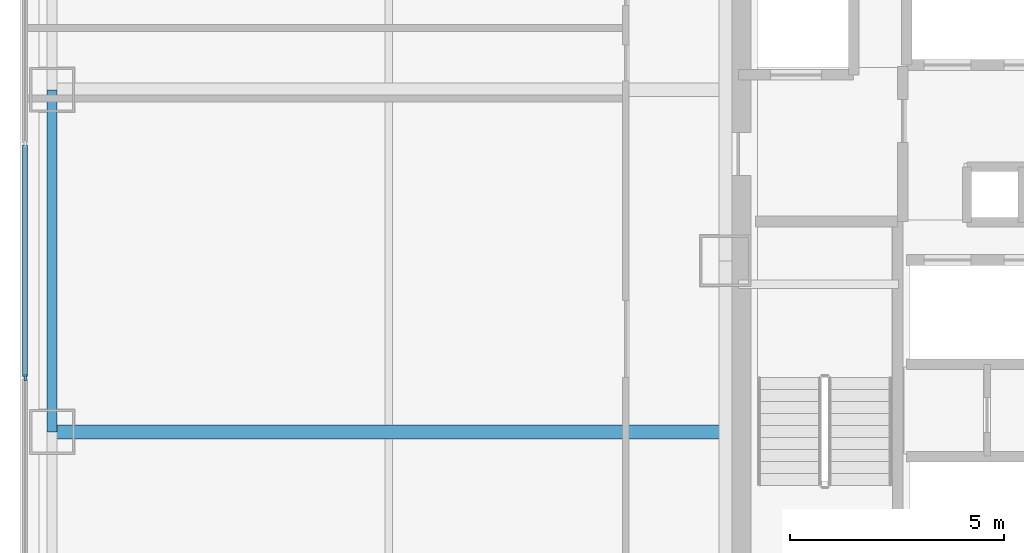
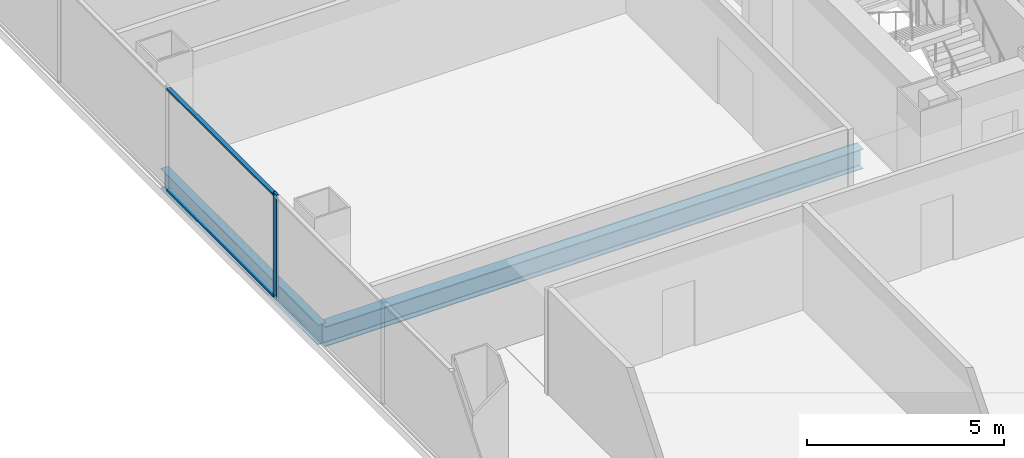
# One storey, part 4 of 19: 3 members, 2 beams, 1 element without a shape of its own.
"""IFC4 building model written with IfcOpenShell, lengths in metres."""

import ifcopenshell
import ifcopenshell.guid

model = None  # the IFC model being written
_history = None  # IfcOwnerHistory: only IFC2X3 demands one
_inside = {}  # id of a spatial element -> (the spatial element, [elements in it])
_under = {}  # id of a project, library or spatial element -> (it, [spatial elements below it])
_declared = {}  # id of a project -> (the project, [libraries it declares])
_typed = {}  # id of a type object -> (the type object, [elements of that type])
_made_of = {}  # id of a material, layer set ... -> (it, [elements and type objects made of it])


def new_model(schema):
    """Start an empty IFC model of exactly this schema.

    Asked for "IFC4X3", IfcOpenShell would pick the latest addendum, in which some entities
    have other attributes; the version numbers below select the first issue.
    IFC2X3 requires an IfcOwnerHistory on every rooted entity: one is made here for all.
    """
    global model, _history
    if schema == "IFC4X3":
        model = ifcopenshell.file(schema_version=(4, 3, 0, 0))
    else:
        model = ifcopenshell.file(schema=schema)
    _inside.clear()
    _under.clear()
    _declared.clear()
    _typed.clear()
    _made_of.clear()
    _history = None
    if model.schema == "IFC2X3":
        org = make("IfcOrganization", Name="unknown")
        user = make(
            "IfcPersonAndOrganization",
            ThePerson=make("IfcPerson", FamilyName="unknown"),
            TheOrganization=org,
        )
        app = make(
            "IfcApplication",
            ApplicationDeveloper=org,
            Version="unknown",
            ApplicationFullName="unknown",
            ApplicationIdentifier="unknown",
        )
        _history = make(
            "IfcOwnerHistory",
            OwningUser=user,
            OwningApplication=app,
            ChangeAction="ADDED",
            CreationDate=0,
        )
    return model


def make(cls, **values):
    """One entity of the class cls with the attributes given. An attribute that is None is left unset."""
    return model.create_entity(
        cls, **{name: value for name, value in values.items() if value is not None}
    )


def rooted(cls, **values):
    """An entity with a GlobalId (a new one), such as an element, a storey or a relation."""
    return make(cls, GlobalId=ifcopenshell.guid.new(), OwnerHistory=_history, **values)


def si_unit(unit_type, name, prefix=None):
    """IfcSIUnit, for example si_unit("LENGTHUNIT", "METRE", prefix="MILLI")."""
    return make("IfcSIUnit", UnitType=unit_type, Prefix=prefix, Name=name)


def assignment(units):
    """IfcUnitAssignment: the units of a project."""
    return None if units is None else make("IfcUnitAssignment", Units=units)


def point(xyz):
    """IfcCartesianPoint."""
    return None if xyz is None else make("IfcCartesianPoint", Coordinates=xyz)


def direction(xyz):
    """IfcDirection."""
    return None if xyz is None else make("IfcDirection", DirectionRatios=xyz)


def frame(location, z_axis=None, x_axis=None):
    """IfcAxis2Placement3D, a coordinate frame: its origin and axes. An axis left out is left unset."""
    return make(
        "IfcAxis2Placement3D",
        Location=point(location),
        Axis=direction(z_axis),
        RefDirection=direction(x_axis),
    )


def frame_2d(location, x_axis=None):
    """IfcAxis2Placement2D, a coordinate frame in the plane: its origin and x axis."""
    return make(
        "IfcAxis2Placement2D", Location=point(location), RefDirection=direction(x_axis)
    )


def origin():
    """The frame at (0, 0, 0) with its axes left unset."""
    return frame((0.0, 0.0, 0.0))


def origin_2d():
    """The frame at (0, 0) in the plane with its x axis left unset."""
    return frame_2d((0.0, 0.0))


def place(relative_to, where):
    """IfcLocalPlacement: puts the frame where relative to a parent placement (None: the world)."""
    return make(
        "IfcLocalPlacement", PlacementRelTo=relative_to, RelativePlacement=where
    )


def context(
    kind, dimensions, precision=None, world=None, true_north=None, identifier=None
):
    """IfcGeometricRepresentationContext, for example the 3D "Model" context."""
    return make(
        "IfcGeometricRepresentationContext",
        ContextIdentifier=identifier,
        ContextType=kind,
        CoordinateSpaceDimension=dimensions,
        Precision=precision,
        WorldCoordinateSystem=world,
        TrueNorth=true_north,
    )


def subcontext(parent, identifier, kind, view, scale=None):
    """IfcGeometricRepresentationSubContext, for example "Body" below "Model"."""
    return make(
        "IfcGeometricRepresentationSubContext",
        ContextIdentifier=identifier,
        ContextType=kind,
        ParentContext=parent,
        TargetScale=scale,
        TargetView=view,
    )


def project(units=None, contexts=None):
    """IfcProject with its units and contexts."""
    return rooted(
        "IfcProject",
        Name="project",
        RepresentationContexts=contexts,
        UnitsInContext=assignment(units),
    )


def spatial(cls, under=None, at=None, **own):
    """A site, building, storey or space (cls), placed at a placement, below another one or the project."""
    s = rooted(cls, ObjectPlacement=at, **own)
    if under is not None:
        _under.setdefault(under.id(), (under, []))[1].append(s)
    return s


def profile(cls, at=None, kind="AREA", **sizes):
    """A parametric profile (cls). Its sizes go by their IFC names, for example OverallWidth=200.0."""
    return make(cls, ProfileType=kind, Position=at, **sizes)


def rectangle(**sizes):
    """IfcRectangleProfileDef."""
    return profile("IfcRectangleProfileDef", **sizes)


def i_section(**sizes):
    """IfcIShapeProfileDef."""
    return profile("IfcIShapeProfileDef", **sizes)


def extrude(swept, where, along, depth):
    """IfcExtrudedAreaSolid: the profile swept, set in the frame where, extruded along a direction by depth."""
    return make(
        "IfcExtrudedAreaSolid",
        SweptArea=swept,
        Position=where,
        ExtrudedDirection=direction(along),
        Depth=depth,
    )


def shape(context_of_items, identifier, shape_type, items):
    """IfcShapeRepresentation: the items that make up one representation, for example the "Body"."""
    return make(
        "IfcShapeRepresentation",
        ContextOfItems=context_of_items,
        RepresentationIdentifier=identifier,
        RepresentationType=shape_type,
        Items=items,
    )


def material(Name=None, Category=None):
    """IfcMaterial."""
    return make("IfcMaterial", Name=Name, Category=Category)


def layer(
    of_material, thickness, ventilated=None, Name=None, Category=None, Priority=None
):
    """IfcMaterialLayer: one layer of a wall or slab, of a material (None: an air gap)."""
    return make(
        "IfcMaterialLayer",
        Material=of_material,
        LayerThickness=thickness,
        IsVentilated=ventilated,
        Name=Name,
        Category=Category,
        Priority=Priority,
    )


def layer_set(layers, Name=None):
    """IfcMaterialLayerSet."""
    return make("IfcMaterialLayerSet", MaterialLayers=layers, LayerSetName=Name)


def material_profile(
    of_material, cross_section, Name=None, Category=None, Priority=None
):
    """IfcMaterialProfile: a cross section and its material."""
    return make(
        "IfcMaterialProfile",
        Name=Name,
        Material=of_material,
        Profile=cross_section,
        Priority=Priority,
        Category=Category,
    )


def profile_set(profiles, Name=None, composite=None):
    """IfcMaterialProfileSet."""
    return make(
        "IfcMaterialProfileSet",
        Name=Name,
        MaterialProfiles=profiles,
        CompositeProfile=composite,
    )


def made_of(thing, what):
    """Note that an element or type object is made of a material, layer set ...; save() writes the relation."""
    if what is not None:
        _made_of.setdefault(what.id(), (what, []))[1].append(thing)
    return thing


def type_object(cls, material=None, **own):
    """A type object (cls), such as IfcWallType, which elements share."""
    return made_of(rooted(cls, **own), material)


def element(
    cls,
    number,
    at=None,
    inside=None,
    cuts=None,
    type_object=None,
    material=None,
    context=None,
    identifier="Body",
    shape_type=None,
    held_by="IfcProductDefinitionShape",
    body=None,
    shapes=None,
    **own,
):
    """One element of the class cls, such as IfcWall. Its Tag is "e" and its number.

    at: its placement. inside: the storey or other place that contains it. cuts: it is an
    opening in that element (IfcRelVoidsElement). A single representation is given by context,
    identifier, shape_type and body (its items); several are given by shapes. held_by: the class
    of the entity that holds the representations. save() writes the other relations.
    """
    e = rooted(cls, Tag="e%d" % number, ObjectPlacement=at, **own)
    if body is not None:
        shapes = [shape(context, identifier, shape_type, body)]
    if shapes is not None:
        e.Representation = make(held_by, Representations=shapes)
    if inside is not None:
        _inside.setdefault(inside.id(), (inside, []))[1].append(e)
    if cuts is not None:
        rooted(
            "IfcRelVoidsElement", RelatingBuildingElement=cuts, RelatedOpeningElement=e
        )
    if type_object is not None:
        _typed.setdefault(type_object.id(), (type_object, []))[1].append(e)
    return made_of(e, material)


def aggregate(whole, parts):
    """IfcRelAggregates: a whole, such as a stair, and the parts it consists of."""
    return rooted("IfcRelAggregates", RelatingObject=whole, RelatedObjects=parts)


def save(model, path):
    """Write the relations noted so far, then the file.

    IfcRelAggregates (storeys below a building ...), IfcRelContainedInSpatialStructure (elements
    in a storey), IfcRelDefinesByType, IfcRelAssociatesMaterial and IfcRelDeclares: one each for
    every whole, place, type object, material and project.
    """
    for whole, parts in _under.values():
        aggregate(whole, parts)
    for where, things in _inside.values():
        rooted(
            "IfcRelContainedInSpatialStructure",
            RelatedElements=things,
            RelatingStructure=where,
        )
    for kind, things in _typed.values():
        rooted("IfcRelDefinesByType", RelatedObjects=things, RelatingType=kind)
    for what, things in _made_of.values():
        rooted("IfcRelAssociatesMaterial", RelatedObjects=things, RelatingMaterial=what)
    for by, libraries in _declared.values():
        rooted("IfcRelDeclares", RelatingContext=by, RelatedDefinitions=libraries)
    model.write(path)


model = new_model("IFC4")

# Units and contexts
model_context = context("Model", 3, precision=1e-05, world=origin(), true_north=direction((0.0, 1.0)))
body_context = subcontext(model_context, "Body", "Model", "MODEL_VIEW")
ifc_project = project(units=[si_unit("LENGTHUNIT", "METRE"), si_unit("AREAUNIT", "SQUARE_METRE"), si_unit("VOLUMEUNIT", "CUBIC_METRE"), si_unit("PLANEANGLEUNIT", "RADIAN"), si_unit("MASSUNIT", "GRAM", prefix="KILO")], contexts=[model_context])

# Site, building, storey
site_placement = place(None, origin())
site = spatial("IfcSite", under=ifc_project, at=site_placement, CompositionType="ELEMENT")
building_placement = place(site_placement, origin())
building = spatial("IfcBuilding", under=site, at=building_placement, Name="Trevonay Congress Spire", CompositionType="ELEMENT")
storey_placement = place(building_placement, frame((0.0, 0.0, 41.0)))
storey = spatial("IfcBuildingStorey", under=building, at=storey_placement, Name="L09", CompositionType="ELEMENT", Elevation=41.0)

# Beams
ifc_material_1 = material(Name="Steel ASTM A572 Grade 50", Category="steel")
ifc_material_profile_1 = material_profile(ifc_material_1, i_section(OverallWidth=0.324951171875, OverallDepth=0.615966796875, WebThickness=0.013916015625, FlangeThickness=0.021484375, FilletRadius=0.01806640625, at=origin_2d()), Name="W610x174")
ifc_profile_set_1 = profile_set([ifc_material_profile_1], Name="Steel ASTM A572 Grade 50")
beam_type_1 = type_object("IfcBeamType", Name="BM-GIRD-W610X174", PredefinedType="BEAM", material=ifc_profile_set_1)
beam_1_placement = place(storey_placement, frame((-7.5, -4.0, -0.55810546875), z_axis=(-1.0, 0.0, 0.0), x_axis=(0.0, -1.0, 0.0)))
element("IfcBeam", 1, at=beam_1_placement, inside=storey, type_object=beam_type_1, Name="L09 structural beam BM-L09-GW-M", PredefinedType="BEAM", context=body_context, shape_type="SweptSolid", body=[
    extrude(i_section(OverallWidth=0.324951171875, OverallDepth=0.615966796875, WebThickness=0.013916015625, FlangeThickness=0.021484375, FilletRadius=0.01806640625, at=origin_2d()), origin(), (0.0, 0.0, 1.0), 15.75),
])
ifc_material_profile_2 = material_profile(ifc_material_1, i_section(OverallWidth=0.22998046875, OverallDepth=0.616943359375, WebThickness=0.01318359375, FlangeThickness=0.022216796875, FilletRadius=0.01611328125, at=origin_2d()), Name="W610x140")
ifc_profile_set_2 = profile_set([ifc_material_profile_2], Name="Steel ASTM A572 Grade 50")
beam_type_2 = type_object("IfcBeamType", Name="BM-RING-W610X140", PredefinedType="BEAM", material=ifc_profile_set_2)
beam_2_placement = place(storey_placement, frame((-23.25, -4.0, -0.55859375), z_axis=(0.0, 1.0, 0.0), x_axis=(-1.0, 0.0, 0.0)))
element("IfcBeam", 2, at=beam_2_placement, inside=storey, type_object=beam_type_2, Name="L09 structural beam BM-L09-PW3", PredefinedType="BEAM", context=body_context, shape_type="SweptSolid", body=[
    extrude(i_section(OverallWidth=0.22998046875, OverallDepth=0.616943359375, WebThickness=0.01318359375, FlangeThickness=0.022216796875, FilletRadius=0.01611328125, at=origin_2d()), origin(), (0.0, 0.0, 1.0), 8.0),
])

# Curtain wall, members
ifc_material_2 = material(Name="Pale Anodised Aluminium EN AW-6063-T6", Category="aluminium")
ifc_layer = layer(ifc_material_2, 0.179931640625, Name="Pale Anodised Aluminium EN AW-6063-T6")
ifc_layer_set = layer_set([ifc_layer], Name="Pale Anodised Aluminium EN AW-6063-T6")
curtain_wall_type = type_object("IfcCurtainWallType", Name="CW-SYS02-HOTEL-PALE-METAL", PredefinedType="NOTDEFINED", material=ifc_layer_set)
curtain_wall_placement = place(storey_placement, origin())
curtain_wall = element("IfcCurtainWall", 3, at=curtain_wall_placement, inside=storey, type_object=curtain_wall_type, Name="L09 W unitised curtain wall", PredefinedType="NOTDEFINED")
ifc_material_profile_3 = material_profile(ifc_material_2, rectangle(XDim=0.06005859375, YDim=0.159912109375, at=origin_2d()), Name="CW-MULLION-160-ALUMINIUM")
ifc_profile_set_3 = profile_set([ifc_material_profile_3], Name="Pale Anodised Aluminium EN AW-6063-T6")
member_type_1 = type_object("IfcMemberType", Name="CW-MULLION-160-ALUMINIUM", PredefinedType="MULLION", material=ifc_profile_set_3)
member_1_placement = place(storey_placement, frame((-23.8798828125, -2.735595703125, 0.0), z_axis=(0.0, 0.0, 1.0), x_axis=(-1.0, 0.0, 0.0)))
member_1 = element("IfcMember", 4, at=member_1_placement, type_object=member_type_1, Name="CW02 mullion 4", PredefinedType="MULLION", context=body_context, shape_type="SweptSolid", body=[
    extrude(rectangle(XDim=0.06005859375, YDim=0.159912109375, at=origin_2d()), origin(), (0.0, 0.0, 1.0), 3.25),
])
ifc_material_profile_4 = material_profile(ifc_material_2, rectangle(XDim=0.1201171875, YDim=0.06005859375, at=origin_2d()), Name="CW-TRANSOM-120-ALUMINIUM")
ifc_profile_set_4 = profile_set([ifc_material_profile_4], Name="Pale Anodised Aluminium EN AW-6063-T6")
member_type_2 = type_object("IfcMemberType", Name="CW-TRANSOM-120-ALUMINIUM", PredefinedType="USERDEFINED", material=ifc_profile_set_4)
member_2_placement = place(storey_placement, frame((-23.8798828125, -2.705810546875, 0.06005859375), z_axis=(0.0, 1.0, 0.0), x_axis=(-1.0, 0.0, 0.0)))
member_2 = element("IfcMember", 5, at=member_2_placement, type_object=member_type_2, Name="CW02 transom 4.1", ObjectType="TRANSOM", PredefinedType="USERDEFINED", context=body_context, shape_type="SweptSolid", body=[
    extrude(rectangle(XDim=0.1201171875, YDim=0.06005859375, at=origin_2d()), origin(), (0.0, 0.0, 1.0), 5.41162109375),
])
member_3_placement = place(storey_placement, frame((-23.8798828125, -2.705810546875, 3.18994140625), z_axis=(0.0, 1.0, 0.0), x_axis=(-1.0, 0.0, 0.0)))
member_3 = element("IfcMember", 6, at=member_3_placement, type_object=member_type_2, Name="CW02 transom 4.2", ObjectType="TRANSOM", PredefinedType="USERDEFINED", context=body_context, shape_type="SweptSolid", body=[
    extrude(rectangle(XDim=0.1201171875, YDim=0.06005859375, at=origin_2d()), origin(), (0.0, 0.0, 1.0), 5.41162109375),
])
aggregate(curtain_wall, [member_1, member_2, member_3])

save(model, "model.ifc")
